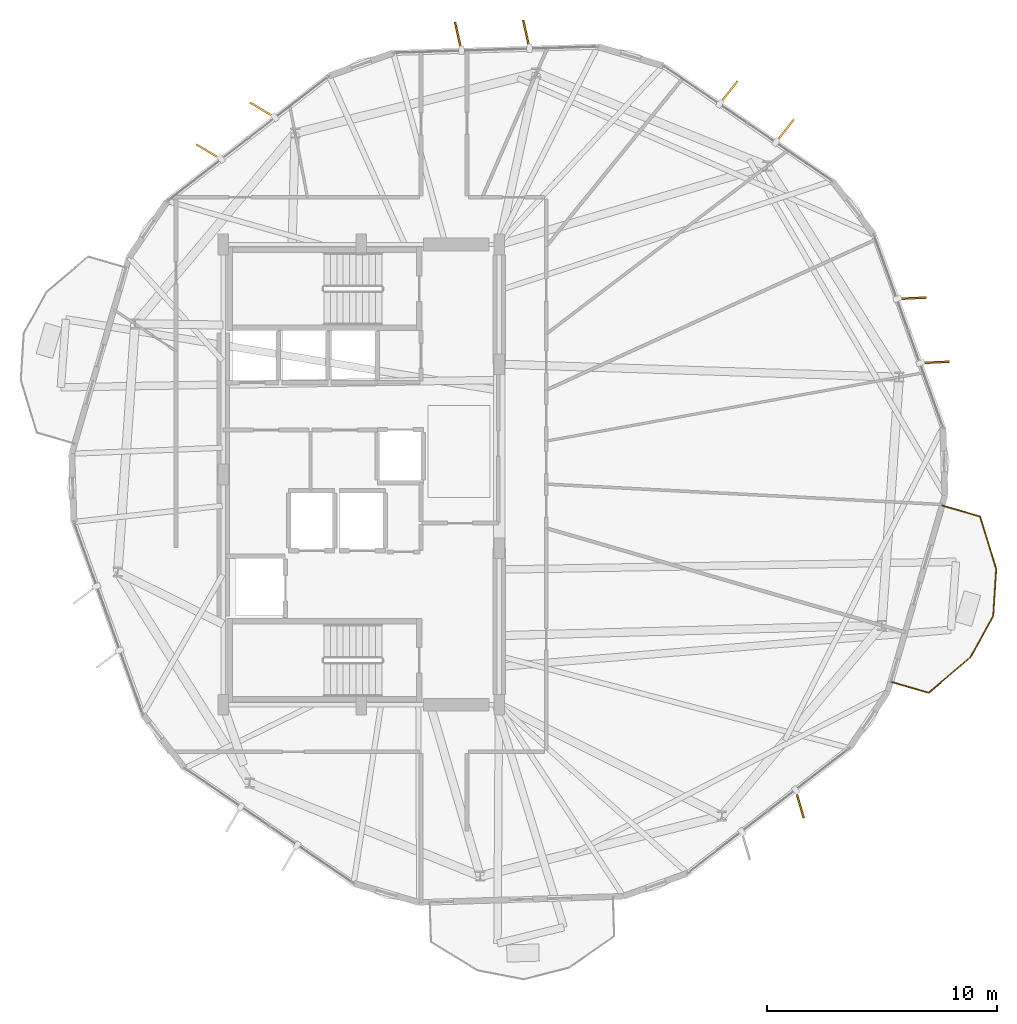
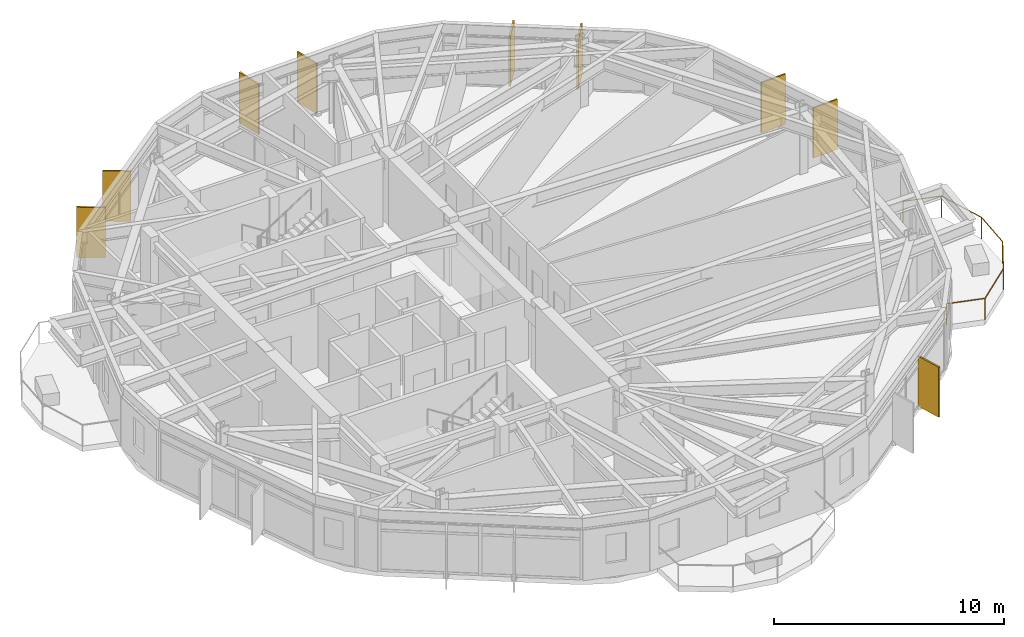
# One storey, part 23 of 23: 9 shading devices, 1 railing.
"""IFC4 building model written with IfcOpenShell, lengths in metres."""

from ifc_helpers import new_model, si_unit, direction, frame, origin, origin_2d, place, context, subcontext, project, spatial, rectangle, circle, extrude, material, layer, layer_set, type_object, element, save


model = new_model("IFC4")

# Units and contexts
model_context = context("Model", 3, precision=1e-05, world=origin(), true_north=direction((0.0, 1.0)))
body_context = subcontext(model_context, "Body", "Model", "MODEL_VIEW")
ifc_project = project(units=[si_unit("LENGTHUNIT", "METRE"), si_unit("AREAUNIT", "SQUARE_METRE"), si_unit("VOLUMEUNIT", "CUBIC_METRE"), si_unit("PLANEANGLEUNIT", "RADIAN"), si_unit("MASSUNIT", "GRAM", prefix="KILO")], contexts=[model_context])

# Site, building, storey
site_placement = place(None, origin())
site = spatial("IfcSite", under=ifc_project, at=site_placement, CompositionType="ELEMENT")
building_placement = place(site_placement, origin())
building = spatial("IfcBuilding", under=site, at=building_placement, Name="Soratama Intermodal Tower", CompositionType="ELEMENT")
storey_placement = place(building_placement, frame((0.0, 0.0, 171.39990234375)))
storey = spatial("IfcBuildingStorey", under=building, at=storey_placement, Name="L42", CompositionType="ELEMENT", Elevation=171.39990234375)

# Railing
ifc_material_1 = material(Name="Laminated glass and stainless steel balustrade", Category="steel")
railing_type = type_object("IfcRailingType", Name="RL-BAL-1150", PredefinedType="BALUSTRADE", material=ifc_material_1)
railing_placement = place(storey_placement, frame((63.8544921875, 23.66064453125, 0.0)))
element("IfcRailing", 1, at=railing_placement, inside=storey, type_object=railing_type, Name="L42 Balcony Balustrade 1", PredefinedType="BALUSTRADE", context=body_context, shape_type="SweptSolid", body=[
    extrude(circle(Radius=0.02392578125, at=origin_2d()), frame((0.0, 0.0, 1.1259765625), z_axis=(0.959982510349, -0.280059957551, 0.0), x_axis=(0.280059957551, 0.959982510349, 0.0)), (0.0, 0.0, 1.0), 1.719970703125),
    extrude(circle(Radius=0.02392578125, at=origin_2d()), frame((1.651123046875, -0.481689453125, 1.1259765625), z_axis=(0.292828700452, -0.956164918929, 0.0), x_axis=(0.956164918929, 0.292828700452, 0.0)), (0.0, 0.0, 1.0), 2.388671875),
    extrude(circle(Radius=0.02392578125, at=origin_2d()), frame((2.3505859375, -2.765625, 1.1259765625), z_axis=(-0.062630803388, -0.998036764086, 0.0), x_axis=(0.998036764086, -0.062630803388, 0.0)), (0.0, 0.0, 1.0), 2.04638671875),
    extrude(circle(Radius=0.02392578125, at=origin_2d()), frame((2.222412109375, -4.80810546875, 1.1259765625), z_axis=(-0.483767880207, -0.875196342589, 0.0), x_axis=(0.875196342589, -0.483767880207, 0.0)), (0.0, 0.0, 1.0), 2.04638671875),
    extrude(circle(Radius=0.02392578125, at=origin_2d()), frame((1.232421875, -6.59912109375, 1.1259765625), z_axis=(-0.760942291578, -0.648819565741, 0.0), x_axis=(0.648819565741, -0.760942291578, 0.0)), (0.0, 0.0, 1.0), 2.388671875),
    extrude(circle(Radius=0.02392578125, at=origin_2d()), frame((-0.585205078125, -8.14892578125, 1.1259765625), z_axis=(-0.959982510349, 0.280059957551, 0.0), x_axis=(-0.280059957551, -0.959982510349, 0.0)), (0.0, 0.0, 1.0), 1.719970703125),
    extrude(circle(Radius=0.02099609375, at=origin_2d()), origin(), (0.0, 0.0, 1.0), 1.101806640625),
    extrude(circle(Radius=0.02099609375, at=origin_2d()), frame((1.651123046875, -0.481689453125, 0.0)), (0.0, 0.0, 1.0), 1.101806640625),
    extrude(circle(Radius=0.02099609375, at=origin_2d()), frame((2.3505859375, -2.765625, 0.0)), (0.0, 0.0, 1.0), 1.101806640625),
    extrude(circle(Radius=0.02099609375, at=origin_2d()), frame((2.222412109375, -4.80810546875, 0.0)), (0.0, 0.0, 1.0), 1.101806640625),
    extrude(circle(Radius=0.02099609375, at=origin_2d()), frame((1.232421875, -6.59912109375, 0.0)), (0.0, 0.0, 1.0), 1.101806640625),
    extrude(circle(Radius=0.02099609375, at=origin_2d()), frame((-0.585205078125, -8.14892578125, 0.0)), (0.0, 0.0, 1.0), 1.101806640625),
    extrude(circle(Radius=0.02099609375, at=origin_2d()), frame((-2.236328125, -7.667236328125, 0.0)), (0.0, 0.0, 1.0), 1.101806640625),
])

# Shading devices
ifc_material_2 = material(Name="Champagne anodised aluminium solar fin", Category="aluminium")
ifc_layer = layer(ifc_material_2, 0.080078125)
ifc_layer_set = layer_set([ifc_layer], Name="Champagne anodised aluminium solar fin")
shading_device_type = type_object("IfcShadingDeviceType", Name="SH-FIN-1250", PredefinedType="USERDEFINED", material=ifc_layer_set)
for number, where, z_axis, x_axis, name in (
    (2, (57.02197265625, 39.944091796875, 0.02001953125), (0.0, 0.0, 1.0), (0.61579899977, 0.787903288407, 0.0), "L42 Solar Fin F01-1"),
    (3, (54.57373046875, 41.611572265625, 0.02001953125), (0.0, 0.0, 1.0), (0.61579899977, 0.787903288407, 0.0), "L42 Solar Fin F01-2"),
    (4, (45.7783203125, 44.14111328125, 0.02001953125), (0.0, 0.0, 1.0), (-0.21882450661, 0.975764231414, 0.0), "L42 Solar Fin F02-1"),
    (5, (42.8173828125, 44.051025390625, 0.02001953125), (0.0, 0.0, 1.0), (-0.21882450661, 0.975764231414, 0.0), "L42 Solar Fin F02-2"),
    (6, (34.309326171875, 40.84765625, 0.02001953125), (0.0, 0.0, 1.0), (-0.858244113158, 0.513241699622, 0.0), "L42 Solar Fin F03-1"),
    (7, (31.966796875, 39.03466796875, 0.02001953125), (0.0, 0.0, 1.0), (-0.858244113158, 0.513241699622, 0.0), "L42 Solar Fin F03-2"),
    (8, (57.6611328125, 10.677490234375, 0.02001953125), (0.0, 0.0, 1.0), (0.281671660596, -0.959510852267, 0.0), "L42 Solar Fin F08-2"),
    (9, (63.533935546875, 29.877197265625, 0.02001953125), (0.0, 0.0, 1.0), (0.998831578106, 0.048326789453, 0.0), "L42 Solar Fin F10-1"),
    (10, (62.533447265625, 32.665283203125, 0.02001953125), (0.0, 0.0, 1.0), (0.998831578106, 0.048326789453, 0.0), "L42 Solar Fin F10-2"),
):
    element("IfcShadingDevice", number, at=place(storey_placement, frame(where, z_axis=z_axis, x_axis=x_axis)), inside=storey, type_object=shading_device_type, Name=name, ObjectType="FIN", PredefinedType="USERDEFINED", context=body_context, shape_type="SweptSolid", body=[
        extrude(rectangle(XDim=1.25, YDim=0.080078125, at=origin_2d()), origin(), (0.0, 0.0, 1.0), 2.658935546875),
    ])

save(model, "model.ifc")
